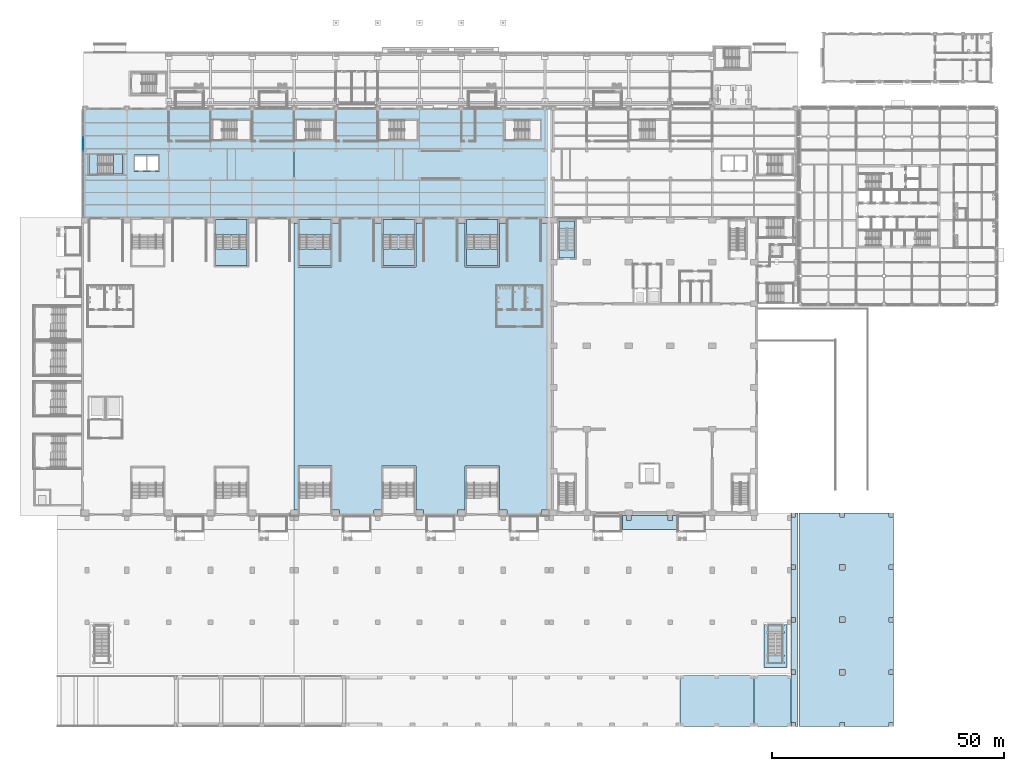
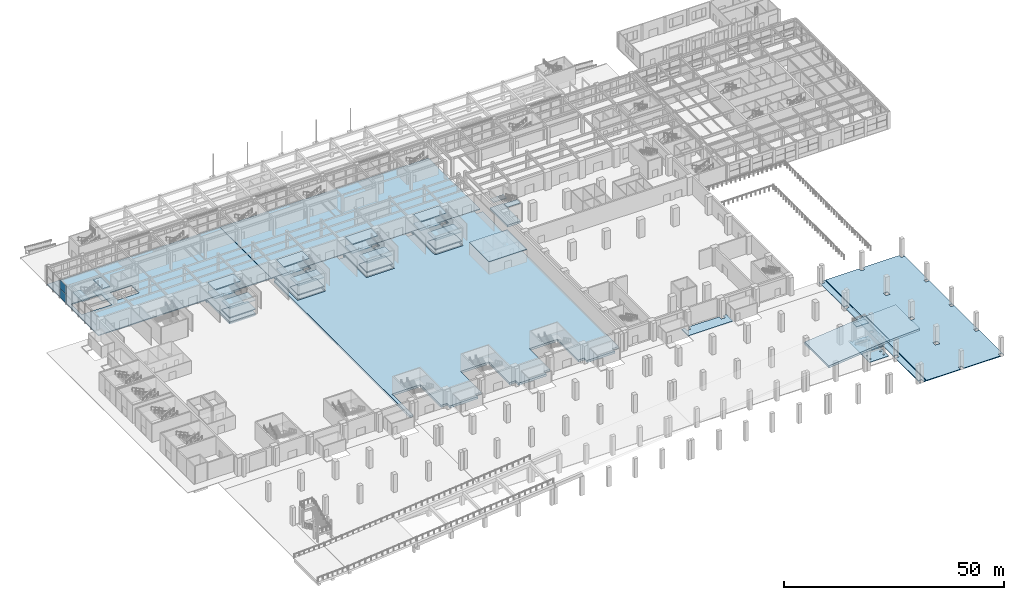
# One storey, part 31 of 77: 38 slabs, 2 plates, 12 elements without a shape of their own.
"""IFC4 building model written with IfcOpenShell, lengths in metres."""

from ifc_helpers import new_model, si_unit, direction, frame, origin, origin_2d, place, context, subcontext, project, spatial, polyline, rectangle, outline, extrude, material, layer, layer_set, type_object, element, aggregate, save


model = new_model("IFC4")

# Units and contexts
model_context = context("Model", 3, precision=1e-05, world=origin(), true_north=direction((0.0, 1.0)))
body_context = subcontext(model_context, "Body", "Model", "MODEL_VIEW")
ifc_project = project(units=[si_unit("LENGTHUNIT", "METRE"), si_unit("AREAUNIT", "SQUARE_METRE"), si_unit("VOLUMEUNIT", "CUBIC_METRE"), si_unit("PLANEANGLEUNIT", "RADIAN"), si_unit("MASSUNIT", "GRAM", prefix="KILO")], contexts=[model_context])

# Site, building, storey
site_placement = place(None, origin())
site = spatial("IfcSite", under=ifc_project, at=site_placement, CompositionType="ELEMENT")
building_placement = place(site_placement, origin())
building = spatial("IfcBuilding", under=site, at=building_placement, Name="Aravalli Gate Trade Fair Centre", CompositionType="ELEMENT")
storey_placement = place(building_placement, origin())
storey = spatial("IfcBuildingStorey", under=building, at=storey_placement, Name="L00", CompositionType="ELEMENT", Elevation=0.0)

# Slabs
ifc_material_1 = material(Name="Concrete M40", Category="concrete")
ifc_layer_1 = layer(ifc_material_1, 0.199951171875)
ifc_layer_set_1 = layer_set([ifc_layer_1], Name="Concrete M40")
slab_type_1 = type_object("IfcSlabType", Name="Apron paving 200", PredefinedType="USERDEFINED", material=ifc_layer_set_1)
slab_1_placement = place(storey_placement, frame((0.0, 0.0, -0.199951171875)))
element("IfcSlab", 1, at=slab_1_placement, inside=storey, type_object=slab_type_1, Name="Paving landing 3, part 1 of 2", ObjectType="PAVING", PredefinedType="USERDEFINED", context=body_context, shape_type="SweptSolid", body=[
    extrude(outline(polyline([(158.949951171875, 0.0), (159.5, 0.0), (159.5, 46.0), (158.949951171875, 46.0), (158.949951171875, 45.10009765625), (158.050048828125, 45.10009765625), (158.050048828125, 46.0), (158.0, 46.0), (158.0, 0.0), (158.050048828125, 0.0), (158.050048828125, 0.89990234375), (158.949951171875, 0.89990234375), (158.949951171875, 0.0)]), holes=[polyline([(158.050048828125, 33.85009765625), (158.050048828125, 34.75), (158.949951171875, 34.75), (158.949951171875, 33.85009765625), (158.050048828125, 33.85009765625)]), polyline([(158.050048828125, 23.449951171875), (158.949951171875, 23.449951171875), (158.949951171875, 22.550048828125), (158.050048828125, 22.550048828125), (158.050048828125, 23.449951171875)]), polyline([(158.050048828125, 11.25), (158.050048828125, 12.14990234375), (158.949951171875, 12.14990234375), (158.949951171875, 11.25), (158.050048828125, 11.25)])]), origin(), (0.0, 0.0, 1.0), 0.199951171875),
])
slab_2_placement = place(storey_placement, frame((0.0, 0.0, -0.199951171875)))
element("IfcSlab", 2, at=slab_2_placement, inside=storey, type_object=slab_type_1, Name="Paving landing 3, part 2 of 2", ObjectType="PAVING", PredefinedType="USERDEFINED", context=body_context, shape_type="SweptSolid", body=[
    extrude(outline(polyline([(180.0, 0.0), (180.0, 46.0), (179.949951171875, 46.0), (179.949951171875, 45.10009765625), (179.050048828125, 45.10009765625), (179.050048828125, 46.0), (169.449951171875, 46.0), (169.449951171875, 45.10009765625), (168.550048828125, 45.10009765625), (168.550048828125, 46.0), (159.699951171875, 46.0), (159.699951171875, 0.0), (168.550048828125, 0.0), (168.550048828125, 0.89990234375), (169.449951171875, 0.89990234375), (169.449951171875, 0.0), (179.050048828125, 0.0), (179.050048828125, 0.89990234375), (179.949951171875, 0.89990234375), (179.949951171875, 0.0), (180.0, 0.0)]), holes=[polyline([(179.050048828125, 33.85009765625), (179.050048828125, 34.75), (179.949951171875, 34.75), (179.949951171875, 33.85009765625), (179.050048828125, 33.85009765625)]), polyline([(179.050048828125, 22.550048828125), (179.050048828125, 23.449951171875), (179.949951171875, 23.449951171875), (179.949951171875, 22.550048828125), (179.050048828125, 22.550048828125)]), polyline([(179.050048828125, 11.25), (179.050048828125, 12.14990234375), (179.949951171875, 12.14990234375), (179.949951171875, 11.25), (179.050048828125, 11.25)]), polyline([(168.449951171875, 33.75), (168.449951171875, 34.85009765625), (169.550048828125, 34.85009765625), (169.550048828125, 33.75), (168.449951171875, 33.75)]), polyline([(168.449951171875, 23.550048828125), (169.550048828125, 23.550048828125), (169.550048828125, 22.449951171875), (168.449951171875, 22.449951171875), (168.449951171875, 23.550048828125)]), polyline([(168.449951171875, 11.14990234375), (168.449951171875, 12.25), (169.550048828125, 12.25), (169.550048828125, 11.14990234375), (168.449951171875, 11.14990234375)])]), origin(), (0.0, 0.0, 1.0), 0.199951171875),
])
slab_3_placement = place(storey_placement, frame((0.0, 0.0, -0.199951171875)))
element("IfcSlab", 3, at=slab_3_placement, inside=storey, type_object=slab_type_1, Name="Paving lane 2", ObjectType="PAVING", PredefinedType="USERDEFINED", context=body_context, shape_type="SweptSolid", body=[
    extrude(outline(polyline([(122.5, 45.39990234375), (122.5, 44.39990234375), (123.5, 44.39990234375), (123.5, 45.39990234375), (131.5, 45.39990234375), (131.5, 44.39990234375), (132.5, 44.39990234375), (132.5, 45.39990234375), (133.35009765625, 45.39990234375), (133.35009765625, 42.39990234375), (121.64990234375, 42.39990234375), (121.64990234375, 45.39990234375), (122.5, 45.39990234375)])), origin(), (0.0, 0.0, 1.0), 0.199951171875),
])
ifc_layer_2 = layer(ifc_material_1, 0.25)
ifc_layer_set_2 = layer_set([ifc_layer_2], Name="Concrete M40")
slab_type_2 = type_object("IfcSlabType", Name="Concourse floor slab 250", PredefinedType="FLOOR", material=ifc_layer_set_2)
slab_4_placement = place(storey_placement, frame((0.0, 0.0, -0.25)))
element("IfcSlab", 4, at=slab_4_placement, inside=storey, type_object=slab_type_2, Name="Concourse floor slab 1", PredefinedType="FLOOR", context=body_context, shape_type="SweptSolid", body=[
    extrude(outline(polyline([(5.699951171875, 132.919921875), (5.699951171875, 109.60009765625), (50.97998046875, 109.60009765625), (50.97998046875, 132.919921875), (5.699951171875, 132.919921875)]), holes=[polyline([(14.39990234375, 118.60009765625), (6.5, 118.60009765625), (6.5, 123.39990234375), (14.39990234375, 123.39990234375), (14.39990234375, 118.60009765625)]), polyline([(22.050048828125, 119.5), (16.5, 119.5), (16.5, 123.0), (22.050048828125, 123.0), (22.050048828125, 119.5)])]), origin(), (0.0, 0.0, 1.0), 0.25),
])
slab_5_placement = place(storey_placement, frame((0.0, 0.0, -0.25)))
element("IfcSlab", 5, at=slab_5_placement, inside=storey, type_object=slab_type_2, Name="Concourse floor slab 2", PredefinedType="FLOOR", context=body_context, shape_type="SweptSolid", body=[
    extrude(outline(polyline([(105.800048828125, 132.919921875), (51.02001953125, 132.919921875), (51.02001953125, 109.60009765625), (105.800048828125, 109.60009765625), (105.800048828125, 132.919921875)])), origin(), (0.0, 0.0, 1.0), 0.25),
])

# Stair, slabs
ifc_material_2 = material(Name="Concrete M30", Category="concrete")
stair_type_1 = type_object("IfcStairType", Name="Concourse stair, 2000 wide", PredefinedType="HALF_TURN_STAIR", material=ifc_material_2)
stair_1_placement = place(storey_placement, origin())
stair_1 = element("IfcStair", 6, at=stair_1_placement, inside=storey, type_object=stair_type_1, Name="Stair WS L00", PredefinedType="HALF_TURN_STAIR")
ifc_layer_3 = layer(ifc_material_2, 0.199951171875)
ifc_layer_set_3 = layer_set([ifc_layer_3], Name="Concrete M30")
slab_type_3 = type_object("IfcSlabType", Name="Concourse stair landing 200", PredefinedType="LANDING", material=ifc_layer_set_3)
slab_6_placement = place(storey_placement, frame((0.0, 0.0, 1.466796875)))
slab_6 = element("IfcSlab", 7, at=slab_6_placement, type_object=slab_type_3, Name="STWS-L00 landing 1", PredefinedType="LANDING", context=body_context, shape_type="SweptSolid", body=[
    extrude(outline(polyline([(12.10009765625, 118.89990234375), (14.10009765625, 118.89990234375), (14.10009765625, 123.10009765625), (12.10009765625, 123.10009765625), (12.10009765625, 118.89990234375)])), origin(), (0.0, 0.0, 1.0), 0.199951171875),
])
slab_7_placement = place(storey_placement, frame((0.0, 0.0, 3.13330078125)))
slab_7 = element("IfcSlab", 8, at=slab_7_placement, type_object=slab_type_3, Name="STWS-L00 landing 2", PredefinedType="LANDING", context=body_context, shape_type="SweptSolid", body=[
    extrude(outline(polyline([(6.800048828125, 118.89990234375), (8.800048828125, 118.89990234375), (8.800048828125, 123.10009765625), (6.800048828125, 123.10009765625), (6.800048828125, 118.89990234375)])), origin(), (0.0, 0.0, 1.0), 0.199951171875),
])
slab_8_placement = place(storey_placement, frame((0.0, 0.0, 4.800048828125)))
slab_8 = element("IfcSlab", 9, at=slab_8_placement, type_object=slab_type_3, Name="STWS-L00 landing 3", PredefinedType="LANDING", context=body_context, shape_type="SweptSolid", body=[
    extrude(outline(polyline([(12.10009765625, 118.89990234375), (14.10009765625, 118.89990234375), (14.10009765625, 123.10009765625), (12.10009765625, 123.10009765625), (12.10009765625, 118.89990234375)])), origin(), (0.0, 0.0, 1.0), 0.199951171875),
])
aggregate(stair_1, [slab_6, slab_7, slab_8])

ifc_material_3 = material(Name="Concrete M45", Category="concrete")
stair_type_2 = type_object("IfcStairType", Name="Congress exit stair", PredefinedType="HALF_TURN_STAIR", material=ifc_material_3)
stair_2_placement = place(storey_placement, origin())
stair_2 = element("IfcStair", 10, at=stair_2_placement, inside=storey, type_object=stair_type_2, Name="Foyer Stair West L00", PredefinedType="HALF_TURN_STAIR")
ifc_layer_4 = layer(ifc_material_3, 0.199951171875)
ifc_layer_set_4 = layer_set([ifc_layer_4], Name="Concrete M45")
slab_type_4 = type_object("IfcSlabType", Name="Congress exit stair landing RC 200", PredefinedType="LANDING", material=ifc_layer_set_4)
slab_9_placement = place(storey_placement, frame((0.0, 0.0, 2.300048828125)))
slab_9 = element("IfcSlab", 11, at=slab_9_placement, type_object=slab_type_4, Name="GX3 landing 1", PredefinedType="LANDING", context=body_context, shape_type="SweptSolid", body=[
    extrude(outline(polyline([(108.0, 107.25), (111.39990234375, 107.25), (111.39990234375, 108.85009765625), (108.0, 108.85009765625), (108.0, 107.25)])), origin(), (0.0, 0.0, 1.0), 0.199951171875),
])
slab_10_placement = place(storey_placement, frame((0.0, 0.0, 4.800048828125)))
slab_10 = element("IfcSlab", 12, at=slab_10_placement, type_object=slab_type_4, Name="GX3 landing 2", PredefinedType="LANDING", context=body_context, shape_type="SweptSolid", body=[
    extrude(outline(polyline([(108.0, 100.85009765625), (111.39990234375, 100.85009765625), (111.39990234375, 102.449951171875), (108.0, 102.449951171875), (108.0, 100.85009765625)])), origin(), (0.0, 0.0, 1.0), 0.199951171875),
])
aggregate(stair_2, [slab_9, slab_10])

# Slab
ifc_layer_5 = layer(ifc_material_1, 0.60009765625)
ifc_layer_set_5 = layer_set([ifc_layer_5], Name="Concrete M40")
slab_type_5 = type_object("IfcSlabType", Name="Congress ground deck RC 600", PredefinedType="FLOOR", material=ifc_layer_set_5)
slab_11_placement = place(storey_placement, frame((0.0, 0.0, -0.60009765625)))
element("IfcSlab", 13, at=slab_11_placement, inside=storey, type_object=slab_type_5, Name="Congress ground deck", PredefinedType="FLOOR", context=body_context, shape_type="SweptSolid", body=[
    extrude(outline(polyline([(108.0, 108.85009765625), (111.39990234375, 108.85009765625), (111.39990234375, 100.85009765625), (108.0, 100.85009765625), (108.0, 108.85009765625)])), origin(), (0.0, 0.0, 1.0), 0.60009765625),
])

# Curtain wall, plates
ifc_material_4 = material(Name="Aluminium and glass", Category="aluminium")
curtain_wall_type = type_object("IfcCurtainWallType", Name="Curtain wall 3000 module, tall", PredefinedType="NOTDEFINED", material=ifc_material_4)
curtain_wall_placement = place(storey_placement, origin())
curtain_wall = element("IfcCurtainWall", 14, at=curtain_wall_placement, inside=storey, type_object=curtain_wall_type, Name="Curtain wall west end L00", PredefinedType="NOTDEFINED")
ifc_material_5 = material(Name="Glass, double glazed", Category="glass")
ifc_layer_6 = layer(ifc_material_5, 0.028076171875)
ifc_layer_set_6 = layer_set([ifc_layer_6], Name="Glass, double glazed")
plate_type = type_object("IfcPlateType", Name="Curtain wall panel, double glazed 28", PredefinedType="CURTAIN_PANEL", material=ifc_layer_set_6)
plate_1_placement = place(storey_placement, frame((5.574951171875, 125.41259765625, 0.06005859375), z_axis=(0.0, 0.0, 1.0), x_axis=(0.0, 1.0, 0.0)))
plate_1 = element("IfcPlate", 15, at=plate_1_placement, type_object=plate_type, Name="CW3 panel 6.1", PredefinedType="CURTAIN_PANEL", context=body_context, shape_type="SweptSolid", body=[
    extrude(rectangle(XDim=2.81494140625, YDim=0.028076171875, at=origin_2d()), origin(), (0.0, 0.0, 1.0), 2.409912109375),
])
plate_2_placement = place(storey_placement, frame((5.574951171875, 125.41259765625, 2.5302734375), z_axis=(0.0, 0.0, 1.0), x_axis=(0.0, 1.0, 0.0)))
plate_2 = element("IfcPlate", 16, at=plate_2_placement, type_object=plate_type, Name="CW3 panel 6.2", PredefinedType="CURTAIN_PANEL", context=body_context, shape_type="SweptSolid", body=[
    extrude(rectangle(XDim=2.81494140625, YDim=0.028076171875, at=origin_2d()), origin(), (0.0, 0.0, 1.0), 2.409912109375),
])
aggregate(curtain_wall, [plate_1, plate_2])

# Slabs
ifc_layer_7 = layer(ifc_material_1, 0.60009765625)
ifc_layer_set_7 = layer_set([ifc_layer_7], Name="Concrete M40")
slab_type_6 = type_object("IfcSlabType", Name="Hall 1 deck RC 600", PredefinedType="FLOOR", material=ifc_layer_set_7)
slab_12_placement = place(storey_placement, frame((0.0, 0.0, -0.60009765625)))
element("IfcSlab", 17, at=slab_12_placement, inside=storey, type_object=slab_type_6, Name="Hall 1 deck panel 1", PredefinedType="FLOOR", context=body_context, shape_type="SweptSolid", body=[
    extrude(outline(polyline([(33.800048828125, 109.60009765625), (41.199951171875, 109.60009765625), (41.199951171875, 109.14990234375), (40.89990234375, 109.14990234375), (40.89990234375, 99.25), (34.10009765625, 99.25), (34.10009765625, 109.14990234375), (33.800048828125, 109.14990234375), (33.800048828125, 109.60009765625)])), origin(), (0.0, 0.0, 1.0), 0.60009765625),
])
slab_13_placement = place(storey_placement, frame((0.0, 0.0, -0.60009765625)))
element("IfcSlab", 18, at=slab_13_placement, inside=storey, type_object=slab_type_6, Name="Hall 1 deck panel 2", PredefinedType="FLOOR", context=body_context, shape_type="SweptSolid", body=[
    extrude(outline(polyline([(104.199951171875, 46.60009765625), (104.199951171875, 45.39990234375), (96.800048828125, 45.39990234375), (96.800048828125, 46.60009765625), (95.199951171875, 46.60009765625), (95.199951171875, 56.050048828125), (94.89990234375, 56.050048828125), (88.10009765625, 56.050048828125), (87.800048828125, 56.050048828125), (87.800048828125, 46.60009765625), (86.199951171875, 46.60009765625), (86.199951171875, 45.39990234375), (78.800048828125, 45.39990234375), (78.800048828125, 46.60009765625), (77.199951171875, 46.60009765625), (77.199951171875, 56.050048828125), (76.89990234375, 56.050048828125), (70.10009765625, 56.050048828125), (69.800048828125, 56.050048828125), (69.800048828125, 46.60009765625), (68.199951171875, 46.60009765625), (68.199951171875, 45.39990234375), (60.800048828125, 45.39990234375), (60.800048828125, 46.60009765625), (59.199951171875, 46.60009765625), (59.199951171875, 56.050048828125), (58.89990234375, 56.050048828125), (52.10009765625, 56.050048828125), (51.800048828125, 56.050048828125), (51.800048828125, 46.60009765625), (51.02001953125, 46.60009765625), (51.02001953125, 108.39990234375), (51.800048828125, 108.39990234375), (51.800048828125, 98.949951171875), (52.10009765625, 98.949951171875), (58.89990234375, 98.949951171875), (59.199951171875, 98.949951171875), (59.199951171875, 108.39990234375), (60.800048828125, 108.39990234375), (60.800048828125, 109.60009765625), (68.199951171875, 109.60009765625), (68.199951171875, 108.39990234375), (69.800048828125, 108.39990234375), (69.800048828125, 98.949951171875), (70.10009765625, 98.949951171875), (76.89990234375, 98.949951171875), (77.199951171875, 98.949951171875), (77.199951171875, 108.39990234375), (78.800048828125, 108.39990234375), (78.800048828125, 109.60009765625), (86.199951171875, 109.60009765625), (86.199951171875, 108.39990234375), (87.800048828125, 108.39990234375), (87.800048828125, 98.949951171875), (88.10009765625, 98.949951171875), (94.89990234375, 98.949951171875), (95.199951171875, 98.949951171875), (95.199951171875, 108.39990234375), (96.800048828125, 108.39990234375), (96.800048828125, 109.60009765625), (104.199951171875, 109.60009765625), (104.199951171875, 108.39990234375), (105.800048828125, 108.39990234375), (105.800048828125, 46.60009765625), (104.199951171875, 46.60009765625)])), origin(), (0.0, 0.0, 1.0), 0.60009765625),
])
slab_14_placement = place(storey_placement, frame((0.0, 0.0, -0.60009765625)))
element("IfcSlab", 19, at=slab_14_placement, inside=storey, type_object=slab_type_6, Name="Hall 1 deck panel 2", PredefinedType="FLOOR", context=body_context, shape_type="SweptSolid", body=[
    extrude(outline(polyline([(51.800048828125, 109.60009765625), (59.199951171875, 109.60009765625), (59.199951171875, 109.14990234375), (58.89990234375, 109.14990234375), (58.89990234375, 99.25), (52.10009765625, 99.25), (52.10009765625, 109.14990234375), (51.800048828125, 109.14990234375), (51.800048828125, 109.60009765625)])), origin(), (0.0, 0.0, 1.0), 0.60009765625),
])
slab_15_placement = place(storey_placement, frame((0.0, 0.0, -0.60009765625)))
element("IfcSlab", 20, at=slab_15_placement, inside=storey, type_object=slab_type_6, Name="Hall 1 deck panel 2", PredefinedType="FLOOR", context=body_context, shape_type="SweptSolid", body=[
    extrude(outline(polyline([(69.800048828125, 109.60009765625), (77.199951171875, 109.60009765625), (77.199951171875, 109.14990234375), (76.89990234375, 109.14990234375), (76.89990234375, 99.25), (70.10009765625, 99.25), (70.10009765625, 109.14990234375), (69.800048828125, 109.14990234375), (69.800048828125, 109.60009765625)])), origin(), (0.0, 0.0, 1.0), 0.60009765625),
])
slab_16_placement = place(storey_placement, frame((0.0, 0.0, -0.60009765625)))
element("IfcSlab", 21, at=slab_16_placement, inside=storey, type_object=slab_type_6, Name="Hall 1 deck panel 2", PredefinedType="FLOOR", context=body_context, shape_type="SweptSolid", body=[
    extrude(outline(polyline([(87.800048828125, 109.60009765625), (95.199951171875, 109.60009765625), (95.199951171875, 109.14990234375), (94.89990234375, 109.14990234375), (94.89990234375, 99.25), (88.10009765625, 99.25), (88.10009765625, 109.14990234375), (87.800048828125, 109.14990234375), (87.800048828125, 109.60009765625)])), origin(), (0.0, 0.0, 1.0), 0.60009765625),
])

# Stair, slabs
stair_type_3 = type_object("IfcStairType", Name="Hall exit stair, four flights", PredefinedType="HALF_TURN_STAIR", material=ifc_material_1)
stair_3_placement = place(storey_placement, origin())
stair_3 = element("IfcStair", 22, at=stair_3_placement, inside=storey, type_object=stair_type_3, Name="Exit stair ST-N04 lane A L00", PredefinedType="HALF_TURN_STAIR")
ifc_layer_8 = layer(ifc_material_1, 0.199951171875)
ifc_layer_set_8 = layer_set([ifc_layer_8], Name="Concrete M40")
slab_type_7 = type_object("IfcSlabType", Name="Hall exit stair landing RC 200", PredefinedType="LANDING", material=ifc_layer_set_8)
slab_17_placement = place(storey_placement, frame((0.0, 0.0, 1.050048828125)))
slab_17 = element("IfcSlab", 23, at=slab_17_placement, type_object=slab_type_7, Name="ST-N04A landing 1", PredefinedType="LANDING", context=body_context, shape_type="SweptSolid", body=[
    extrude(outline(polyline([(34.10009765625, 102.85009765625), (40.89990234375, 102.85009765625), (40.89990234375, 99.25), (34.10009765625, 99.25), (34.10009765625, 102.85009765625)])), origin(), (0.0, 0.0, 1.0), 0.199951171875),
])
slab_18_placement = place(storey_placement, frame((0.0, 0.0, 3.550048828125)))
slab_18 = element("IfcSlab", 24, at=slab_18_placement, type_object=slab_type_7, Name="ST-N04A landing 2", PredefinedType="LANDING", context=body_context, shape_type="SweptSolid", body=[
    extrude(outline(polyline([(34.10009765625, 102.85009765625), (40.89990234375, 102.85009765625), (40.89990234375, 99.25), (34.10009765625, 99.25), (34.10009765625, 102.85009765625)])), origin(), (0.0, 0.0, 1.0), 0.199951171875),
])
aggregate(stair_3, [slab_17, slab_18])

stair_4_placement = place(storey_placement, origin())
stair_4 = element("IfcStair", 25, at=stair_4_placement, inside=storey, type_object=stair_type_3, Name="Exit stair ST-N04 lane B L00", PredefinedType="HALF_TURN_STAIR")
slab_19_placement = place(storey_placement, frame((0.0, 0.0, 2.300048828125)))
slab_19 = element("IfcSlab", 26, at=slab_19_placement, type_object=slab_type_7, Name="ST-N04B landing 1", PredefinedType="LANDING", context=body_context, shape_type="SweptSolid", body=[
    extrude(outline(polyline([(34.10009765625, 109.14990234375), (40.89990234375, 109.14990234375), (40.89990234375, 105.85009765625), (34.10009765625, 105.85009765625), (34.10009765625, 109.14990234375)])), origin(), (0.0, 0.0, 1.0), 0.199951171875),
])
slab_20_placement = place(storey_placement, frame((0.0, 0.0, 4.800048828125)))
slab_20 = element("IfcSlab", 27, at=slab_20_placement, type_object=slab_type_7, Name="ST-N04B landing 2", PredefinedType="LANDING", context=body_context, shape_type="SweptSolid", body=[
    extrude(outline(polyline([(34.10009765625, 109.14990234375), (40.89990234375, 109.14990234375), (40.89990234375, 105.85009765625), (34.10009765625, 105.85009765625), (34.10009765625, 109.14990234375)])), origin(), (0.0, 0.0, 1.0), 0.199951171875),
])
aggregate(stair_4, [slab_19, slab_20])

stair_5_placement = place(storey_placement, origin())
stair_5 = element("IfcStair", 28, at=stair_5_placement, inside=storey, type_object=stair_type_3, Name="Exit stair ST-N06 lane A L00", PredefinedType="HALF_TURN_STAIR")
slab_21_placement = place(storey_placement, frame((0.0, 0.0, 1.050048828125)))
slab_21 = element("IfcSlab", 29, at=slab_21_placement, type_object=slab_type_7, Name="ST-N06A landing 1", PredefinedType="LANDING", context=body_context, shape_type="SweptSolid", body=[
    extrude(outline(polyline([(52.10009765625, 102.85009765625), (58.89990234375, 102.85009765625), (58.89990234375, 99.25), (52.10009765625, 99.25), (52.10009765625, 102.85009765625)])), origin(), (0.0, 0.0, 1.0), 0.199951171875),
])
slab_22_placement = place(storey_placement, frame((0.0, 0.0, 3.550048828125)))
slab_22 = element("IfcSlab", 30, at=slab_22_placement, type_object=slab_type_7, Name="ST-N06A landing 2", PredefinedType="LANDING", context=body_context, shape_type="SweptSolid", body=[
    extrude(outline(polyline([(52.10009765625, 102.85009765625), (58.89990234375, 102.85009765625), (58.89990234375, 99.25), (52.10009765625, 99.25), (52.10009765625, 102.85009765625)])), origin(), (0.0, 0.0, 1.0), 0.199951171875),
])
aggregate(stair_5, [slab_21, slab_22])

stair_6_placement = place(storey_placement, origin())
stair_6 = element("IfcStair", 31, at=stair_6_placement, inside=storey, type_object=stair_type_3, Name="Exit stair ST-N06 lane B L00", PredefinedType="HALF_TURN_STAIR")
slab_23_placement = place(storey_placement, frame((0.0, 0.0, 2.300048828125)))
slab_23 = element("IfcSlab", 32, at=slab_23_placement, type_object=slab_type_7, Name="ST-N06B landing 1", PredefinedType="LANDING", context=body_context, shape_type="SweptSolid", body=[
    extrude(outline(polyline([(52.10009765625, 109.14990234375), (58.89990234375, 109.14990234375), (58.89990234375, 105.85009765625), (52.10009765625, 105.85009765625), (52.10009765625, 109.14990234375)])), origin(), (0.0, 0.0, 1.0), 0.199951171875),
])
slab_24_placement = place(storey_placement, frame((0.0, 0.0, 4.800048828125)))
slab_24 = element("IfcSlab", 33, at=slab_24_placement, type_object=slab_type_7, Name="ST-N06B landing 2", PredefinedType="LANDING", context=body_context, shape_type="SweptSolid", body=[
    extrude(outline(polyline([(52.10009765625, 109.14990234375), (58.89990234375, 109.14990234375), (58.89990234375, 105.85009765625), (52.10009765625, 105.85009765625), (52.10009765625, 109.14990234375)])), origin(), (0.0, 0.0, 1.0), 0.199951171875),
])
aggregate(stair_6, [slab_23, slab_24])

stair_7_placement = place(storey_placement, origin())
stair_7 = element("IfcStair", 34, at=stair_7_placement, inside=storey, type_object=stair_type_3, Name="Exit stair ST-N08 lane A L00", PredefinedType="HALF_TURN_STAIR")
slab_25_placement = place(storey_placement, frame((0.0, 0.0, 1.050048828125)))
slab_25 = element("IfcSlab", 35, at=slab_25_placement, type_object=slab_type_7, Name="ST-N08A landing 1", PredefinedType="LANDING", context=body_context, shape_type="SweptSolid", body=[
    extrude(outline(polyline([(70.10009765625, 102.85009765625), (76.89990234375, 102.85009765625), (76.89990234375, 99.25), (70.10009765625, 99.25), (70.10009765625, 102.85009765625)])), origin(), (0.0, 0.0, 1.0), 0.199951171875),
])
slab_26_placement = place(storey_placement, frame((0.0, 0.0, 3.550048828125)))
slab_26 = element("IfcSlab", 36, at=slab_26_placement, type_object=slab_type_7, Name="ST-N08A landing 2", PredefinedType="LANDING", context=body_context, shape_type="SweptSolid", body=[
    extrude(outline(polyline([(70.10009765625, 102.85009765625), (76.89990234375, 102.85009765625), (76.89990234375, 99.25), (70.10009765625, 99.25), (70.10009765625, 102.85009765625)])), origin(), (0.0, 0.0, 1.0), 0.199951171875),
])
aggregate(stair_7, [slab_25, slab_26])

stair_8_placement = place(storey_placement, origin())
stair_8 = element("IfcStair", 37, at=stair_8_placement, inside=storey, type_object=stair_type_3, Name="Exit stair ST-N08 lane B L00", PredefinedType="HALF_TURN_STAIR")
slab_27_placement = place(storey_placement, frame((0.0, 0.0, 2.300048828125)))
slab_27 = element("IfcSlab", 38, at=slab_27_placement, type_object=slab_type_7, Name="ST-N08B landing 1", PredefinedType="LANDING", context=body_context, shape_type="SweptSolid", body=[
    extrude(outline(polyline([(70.10009765625, 109.14990234375), (76.89990234375, 109.14990234375), (76.89990234375, 105.85009765625), (70.10009765625, 105.85009765625), (70.10009765625, 109.14990234375)])), origin(), (0.0, 0.0, 1.0), 0.199951171875),
])
slab_28_placement = place(storey_placement, frame((0.0, 0.0, 4.800048828125)))
slab_28 = element("IfcSlab", 39, at=slab_28_placement, type_object=slab_type_7, Name="ST-N08B landing 2", PredefinedType="LANDING", context=body_context, shape_type="SweptSolid", body=[
    extrude(outline(polyline([(70.10009765625, 109.14990234375), (76.89990234375, 109.14990234375), (76.89990234375, 105.85009765625), (70.10009765625, 105.85009765625), (70.10009765625, 109.14990234375)])), origin(), (0.0, 0.0, 1.0), 0.199951171875),
])
aggregate(stair_8, [slab_27, slab_28])

stair_9_placement = place(storey_placement, origin())
stair_9 = element("IfcStair", 40, at=stair_9_placement, inside=storey, type_object=stair_type_3, Name="Exit stair ST-N10 lane A L00", PredefinedType="HALF_TURN_STAIR")
slab_29_placement = place(storey_placement, frame((0.0, 0.0, 1.050048828125)))
slab_29 = element("IfcSlab", 41, at=slab_29_placement, type_object=slab_type_7, Name="ST-N10A landing 1", PredefinedType="LANDING", context=body_context, shape_type="SweptSolid", body=[
    extrude(outline(polyline([(88.10009765625, 102.85009765625), (94.89990234375, 102.85009765625), (94.89990234375, 99.25), (88.10009765625, 99.25), (88.10009765625, 102.85009765625)])), origin(), (0.0, 0.0, 1.0), 0.199951171875),
])
slab_30_placement = place(storey_placement, frame((0.0, 0.0, 3.550048828125)))
slab_30 = element("IfcSlab", 42, at=slab_30_placement, type_object=slab_type_7, Name="ST-N10A landing 2", PredefinedType="LANDING", context=body_context, shape_type="SweptSolid", body=[
    extrude(outline(polyline([(88.10009765625, 102.85009765625), (94.89990234375, 102.85009765625), (94.89990234375, 99.25), (88.10009765625, 99.25), (88.10009765625, 102.85009765625)])), origin(), (0.0, 0.0, 1.0), 0.199951171875),
])
aggregate(stair_9, [slab_29, slab_30])

stair_10_placement = place(storey_placement, origin())
stair_10 = element("IfcStair", 43, at=stair_10_placement, inside=storey, type_object=stair_type_3, Name="Exit stair ST-N10 lane B L00", PredefinedType="HALF_TURN_STAIR")
slab_31_placement = place(storey_placement, frame((0.0, 0.0, 2.300048828125)))
slab_31 = element("IfcSlab", 44, at=slab_31_placement, type_object=slab_type_7, Name="ST-N10B landing 1", PredefinedType="LANDING", context=body_context, shape_type="SweptSolid", body=[
    extrude(outline(polyline([(88.10009765625, 109.14990234375), (94.89990234375, 109.14990234375), (94.89990234375, 105.85009765625), (88.10009765625, 105.85009765625), (88.10009765625, 109.14990234375)])), origin(), (0.0, 0.0, 1.0), 0.199951171875),
])
slab_32_placement = place(storey_placement, frame((0.0, 0.0, 4.800048828125)))
slab_32 = element("IfcSlab", 45, at=slab_32_placement, type_object=slab_type_7, Name="ST-N10B landing 2", PredefinedType="LANDING", context=body_context, shape_type="SweptSolid", body=[
    extrude(outline(polyline([(88.10009765625, 109.14990234375), (94.89990234375, 109.14990234375), (94.89990234375, 105.85009765625), (88.10009765625, 105.85009765625), (88.10009765625, 109.14990234375)])), origin(), (0.0, 0.0, 1.0), 0.199951171875),
])
aggregate(stair_10, [slab_31, slab_32])

# Slab
ifc_layer_9 = layer(ifc_material_1, 0.199951171875)
ifc_layer_set_9 = layer_set([ifc_layer_9], Name="Concrete M40")
slab_type_8 = type_object("IfcSlabType", Name="Stair base slab 200", PredefinedType="LANDING", material=ifc_layer_set_9)
slab_33_placement = place(storey_placement, frame((0.0, 0.0, -0.199951171875)))
element("IfcSlab", 46, at=slab_33_placement, inside=storey, type_object=slab_type_8, Name="Stair 2 base slab", PredefinedType="LANDING", context=body_context, shape_type="SweptSolid", body=[
    extrude(outline(polyline([(152.10009765625, 12.699951171875), (152.10009765625, 22.0), (157.10009765625, 22.0), (157.10009765625, 12.699951171875), (152.10009765625, 12.699951171875)]), holes=[polyline([(156.199951171875, 13.925048828125), (156.199951171875, 13.574951171875), (156.550048828125, 13.574951171875), (156.550048828125, 13.925048828125), (156.199951171875, 13.925048828125)]), polyline([(156.550048828125, 15.425048828125), (156.199951171875, 15.425048828125), (156.199951171875, 15.074951171875), (156.550048828125, 15.074951171875), (156.550048828125, 15.425048828125)]), polyline([(156.199951171875, 20.52490234375), (156.199951171875, 21.0), (153.0, 21.0), (153.0, 20.52490234375), (152.64990234375, 20.52490234375), (152.64990234375, 20.175048828125), (153.0, 20.175048828125), (153.0, 20.199951171875), (156.199951171875, 20.199951171875), (156.199951171875, 20.175048828125), (156.550048828125, 20.175048828125), (156.550048828125, 20.52490234375), (156.199951171875, 20.52490234375)]), polyline([(156.199951171875, 21.97509765625), (156.199951171875, 21.625), (156.550048828125, 21.625), (156.550048828125, 21.97509765625), (156.199951171875, 21.97509765625)]), polyline([(152.64990234375, 21.97509765625), (152.64990234375, 21.625), (153.0, 21.625), (153.0, 21.97509765625), (152.64990234375, 21.97509765625)]), polyline([(153.0, 15.425048828125), (152.64990234375, 15.425048828125), (152.64990234375, 15.074951171875), (153.0, 15.074951171875), (153.0, 15.425048828125)]), polyline([(152.64990234375, 13.925048828125), (152.64990234375, 13.574951171875), (153.0, 13.574951171875), (153.0, 13.925048828125), (152.64990234375, 13.925048828125)])]), origin(), (0.0, 0.0, 1.0), 0.199951171875),
])

# Stair, slabs
stair_type_4 = type_object("IfcStairType", Name="External stair 1500", PredefinedType="HALF_TURN_STAIR", material=ifc_material_3)
stair_11_placement = place(storey_placement, origin())
stair_11 = element("IfcStair", 47, at=stair_11_placement, inside=storey, type_object=stair_type_4, Name="External stair 2 L00", PredefinedType="HALF_TURN_STAIR")
ifc_layer_10 = layer(ifc_material_3, 0.25)
ifc_layer_set_10 = layer_set([ifc_layer_10], Name="Concrete M45")
slab_type_9 = type_object("IfcSlabType", Name="Stair landing slab RC 250", PredefinedType="LANDING", material=ifc_layer_set_10)
slab_34_placement = place(storey_placement, frame((0.0, 0.0, 2.300048828125)))
slab_34 = element("IfcSlab", 48, at=slab_34_placement, type_object=slab_type_9, Name="SST4 landing 1", PredefinedType="LANDING", context=body_context, shape_type="SweptSolid", body=[
    extrude(outline(polyline([(153.0, 13.60009765625), (156.199951171875, 13.60009765625), (156.199951171875, 15.39990234375), (153.0, 15.39990234375), (153.0, 13.60009765625)])), origin(), (0.0, 0.0, 1.0), 0.199951171875),
])
slab_35_placement = place(storey_placement, frame((0.0, 0.0, 4.800048828125)))
slab_35 = element("IfcSlab", 49, at=slab_35_placement, type_object=slab_type_9, Name="SST4 landing 2", PredefinedType="LANDING", context=body_context, shape_type="SweptSolid", body=[
    extrude(outline(polyline([(153.0, 20.199951171875), (156.199951171875, 20.199951171875), (156.199951171875, 22.0), (153.0, 22.0), (153.0, 20.199951171875)])), origin(), (0.0, 0.0, 1.0), 0.199951171875),
])
aggregate(stair_11, [slab_34, slab_35])

# Slabs
ifc_layer_11 = layer(ifc_material_3, 0.60009765625)
ifc_layer_set_11 = layer_set([ifc_layer_11], Name="Concrete M45")
slab_type_10 = type_object("IfcSlabType", Name="Vehicle ramp landing slab RC 600", PredefinedType="LANDING", material=ifc_layer_set_11)
slab_36_placement = place(storey_placement, frame((150.02001953125, 0.0, 0.0), z_axis=(0.0, 0.0, 1.0), x_axis=(1.0, 0.0, 0.0)))
element("IfcSlab", 50, at=slab_36_placement, inside=storey, type_object=slab_type_10, Name="Vehicle ramp landing slab RA1-F3", PredefinedType="LANDING", context=body_context, shape_type="SweptSolid", body=[
    extrude(outline(polyline([(0.0, 14.60107421875), (7.9599609375, 14.9990234375), (7.9599609375, 14.398193359375), (0.0, 14.000244140625), (0.0, 14.60107421875)])), frame((0.0, 11.0, 0.0), z_axis=(0.0, -1.0, 0.0), x_axis=(1.0, 0.0, 0.0)), (0.0, 0.0, 1.0), 11.0),
])
ifc_layer_12 = layer(ifc_material_3, 0.60009765625)
ifc_layer_set_12 = layer_set([ifc_layer_12], Name="Concrete M45")
slab_type_11 = type_object("IfcSlabType", Name="Vehicle ramp slab RC 600", PredefinedType="USERDEFINED", material=ifc_layer_set_12)
slab_37_placement = place(storey_placement, frame((134.02001953125, 0.0, 0.0), z_axis=(0.0, 0.0, 1.0), x_axis=(1.0, 0.0, 0.0)))
element("IfcSlab", 51, at=slab_37_placement, inside=storey, type_object=slab_type_11, Name="Vehicle ramp slab RA1-F2.5", ObjectType="PAVING", PredefinedType="USERDEFINED", context=body_context, shape_type="SweptSolid", body=[
    extrude(outline(polyline([(0.0, 13.001953125), (15.9599609375, 14.597900390625), (15.9599609375, 13.994873046875), (0.0, 12.39892578125), (0.0, 13.001953125)])), frame((0.0, 11.0, 0.0), z_axis=(0.0, -1.0, 0.0), x_axis=(1.0, 0.0, 0.0)), (0.0, 0.0, 1.0), 11.0),
])
ifc_layer_13 = layer(ifc_material_1, 0.14990234375)
ifc_layer_set_13 = layer_set([ifc_layer_13], Name="Concrete M40")
slab_type_12 = type_object("IfcSlabType", Name="WC block roof slab 150", PredefinedType="ROOF", material=ifc_layer_set_13)
slab_38_placement = place(storey_placement, frame((0.0, 0.0, 3.449951171875)))
element("IfcSlab", 52, at=slab_38_placement, inside=storey, type_object=slab_type_12, Name="WC block E L00 roof", PredefinedType="ROOF", context=body_context, shape_type="SweptSolid", body=[
    extrude(outline(polyline([(94.5, 86.0), (104.5, 86.0), (104.5, 95.0), (94.5, 95.0), (94.5, 86.0)])), origin(), (0.0, 0.0, 1.0), 0.150146484375),
])

save(model, "model.ifc")
